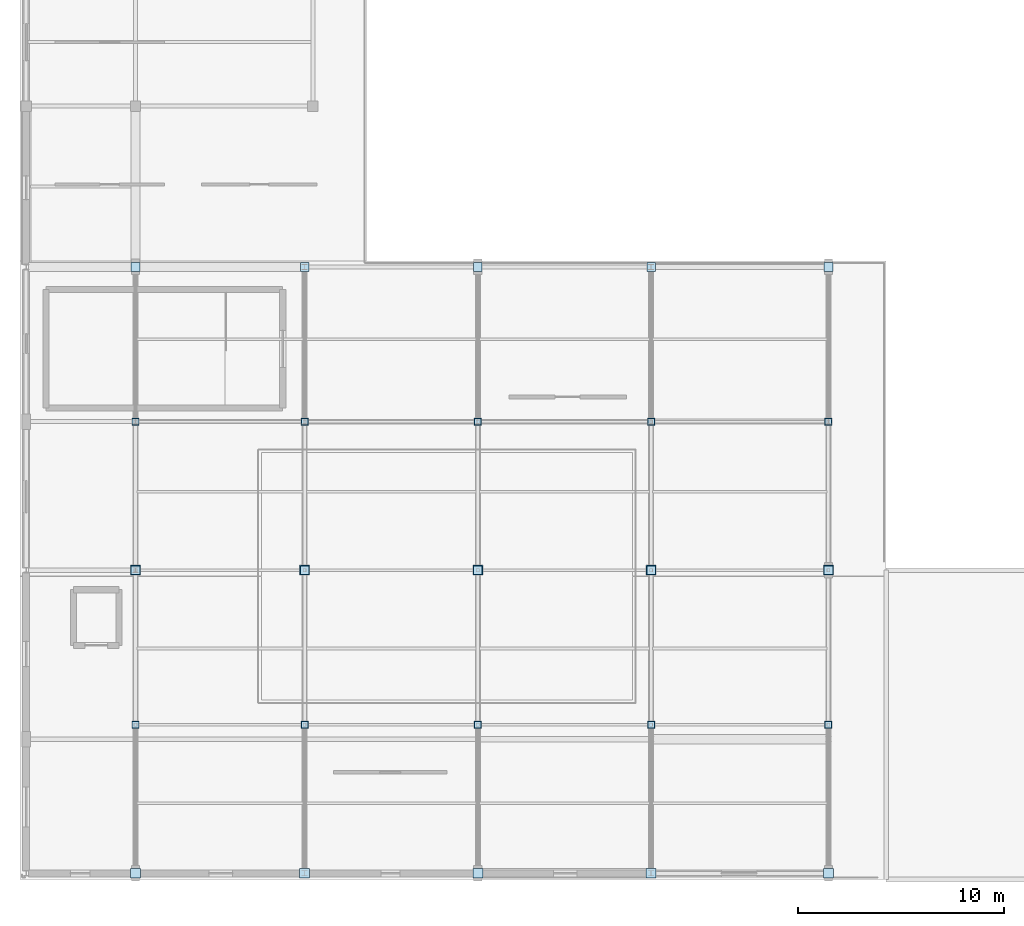
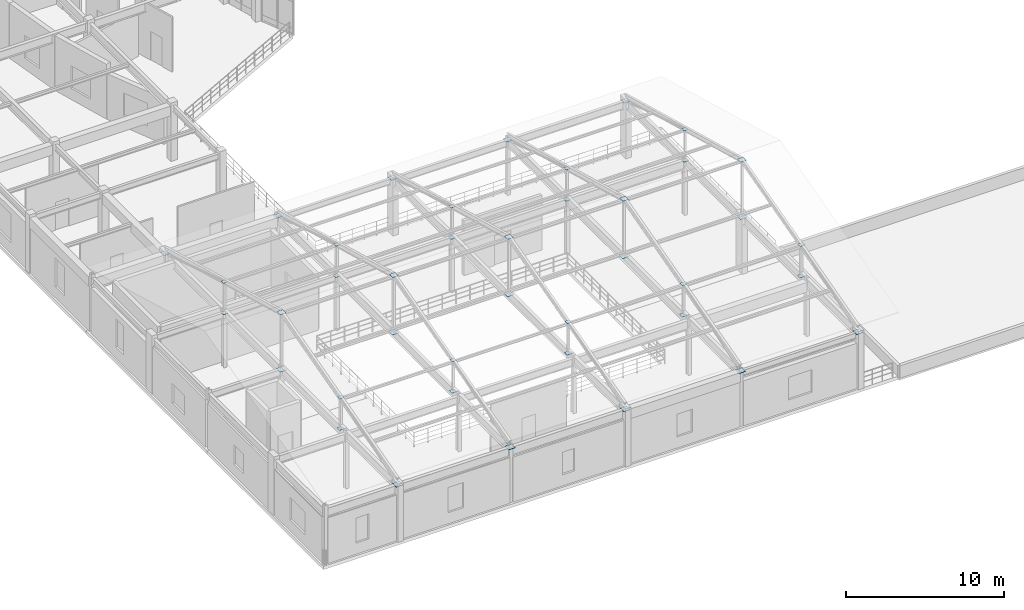
# One storey, part 80 of 112: 40 plates.
"""IFC4 building model written with IfcOpenShell, lengths in metres."""

from ifc_helpers import new_model, si_unit, direction, frame, origin, origin_2d, place, context, subcontext, project, spatial, rectangle, extrude, material, layer, layer_set, type_object, element, save


model = new_model("IFC4")

# Units and contexts
model_context = context("Model", 3, precision=1e-05, world=origin(), true_north=direction((0.0, 1.0)))
body_context = subcontext(model_context, "Body", "Model", "MODEL_VIEW")
ifc_project = project(units=[si_unit("LENGTHUNIT", "METRE"), si_unit("AREAUNIT", "SQUARE_METRE"), si_unit("VOLUMEUNIT", "CUBIC_METRE"), si_unit("PLANEANGLEUNIT", "RADIAN"), si_unit("MASSUNIT", "GRAM", prefix="KILO")], contexts=[model_context])

# Site, building, storey
site_placement = place(None, origin())
site = spatial("IfcSite", under=ifc_project, at=site_placement, CompositionType="ELEMENT")
building_placement = place(site_placement, origin())
building = spatial("IfcBuilding", under=site, at=building_placement, Name="Cinderbank Siding Concert Hall", CompositionType="ELEMENT")
storey_placement = place(building_placement, frame((0.0, 0.0, 10.199951171875)))
storey = spatial("IfcBuildingStorey", under=building, at=storey_placement, Name="L03", CompositionType="ELEMENT", Elevation=10.199951171875)

# Plates
ifc_material = material(Name="Structural steel welded plate section AS/NZS 3679.2 / AS/NZS 3678 Grade 350 (340 MPa)", Category="steel")
ifc_layer_1 = layer(ifc_material, 0.02490234375)
ifc_layer_set_1 = layer_set([ifc_layer_1], Name="Structural steel welded plate section AS/NZS 3679.2 / AS/NZS 3678 Grade 350 (340 MPa)")
plate_type_1 = type_object("IfcPlateType", Name="GP-01 Steel Gusset Cap Plate 480x480x25", PredefinedType="SHEET", material=ifc_layer_set_1)
for number, where, z_axis, x_axis, name in (
    (1, (12.39990234375, 20.800048828125, 4.1376953125), (0.0, 0.0, 1.0), (1.0, 0.0, 0.0), "L03 Steel Node Gusset Plate GP-01 #1272"),
    (2, (12.39990234375, 6.10009765625, 4.1875), (0.0, 0.0, 1.0), (0.0, 1.0, 0.0), "L03 Steel Node Gusset Plate GP-01 #1276"),
    (3, (20.60009765625, 20.800048828125, 4.1376953125), (0.0, 0.0, 1.0), (1.0, 0.0, 0.0), "L03 Steel Node Gusset Plate GP-01 #1280"),
    (4, (20.60009765625, 6.10009765625, 4.1875), (0.0, 0.0, 1.0), (0.0, 1.0, 0.0), "L03 Steel Node Gusset Plate GP-01 #1284"),
    (5, (29.0, 20.800048828125, 4.1376953125), (0.0, 0.0, 1.0), (1.0, 0.0, 0.0), "L03 Steel Node Gusset Plate GP-01 #1288"),
    (6, (29.0, 6.10009765625, 4.1875), (0.0, 0.0, 1.0), (0.0, 1.0, 0.0), "L03 Steel Node Gusset Plate GP-01 #1292"),
    (7, (37.39990234375, 20.800048828125, 4.1376953125), (0.0, 0.0, 1.0), (1.0, 0.0, 0.0), "L03 Steel Node Gusset Plate GP-01 #1296"),
    (8, (37.39990234375, 6.10009765625, 4.1875), (0.0, 0.0, 1.0), (0.0, 1.0, 0.0), "L03 Steel Node Gusset Plate GP-01 #1300"),
    (9, (46.0, 20.800048828125, 4.1376953125), (0.0, 0.0, 1.0), (1.0, 0.0, 0.0), "L03 Steel Node Gusset Plate GP-01 #1304"),
    (10, (46.0, 6.10009765625, 4.1875), (0.0, 0.0, 1.0), (0.0, 1.0, 0.0), "L03 Steel Node Gusset Plate GP-01 #1308"),
):
    element("IfcPlate", number, at=place(storey_placement, frame(where, z_axis=z_axis, x_axis=x_axis)), inside=storey, type_object=plate_type_1, Name=name, PredefinedType="SHEET", context=body_context, shape_type="SweptSolid", body=[
        extrude(rectangle(XDim=0.47998046875, YDim=0.47998046875, at=origin_2d()), origin(), (0.0, 0.0, 1.0), 0.02490234375),
    ])
ifc_layer_2 = layer(ifc_material, 0.02197265625)
ifc_layer_set_2 = layer_set([ifc_layer_2], Name="Structural steel welded plate section AS/NZS 3679.2 / AS/NZS 3678 Grade 350 (340 MPa)")
plate_type_2 = type_object("IfcPlateType", Name="GP-02 Steel Gusset Cap Plate 420x420x22", PredefinedType="SHEET", material=ifc_layer_set_2)
for number, where, z_axis, x_axis, name in (
    (11, (12.39990234375, 20.800048828125, 8.5390625), (0.0, 0.0, 1.0), (1.0, 0.0, 0.0), "L03 Steel Node Gusset Plate GP-02 #1273"),
    (12, (12.39990234375, 35.5, 4.18896484375), (0.0, 0.0, 1.0), (0.0, -1.0, 0.0), "L03 Steel Node Gusset Plate GP-02 #1277"),
    (13, (20.60009765625, 20.800048828125, 8.5390625), (0.0, 0.0, 1.0), (1.0, 0.0, 0.0), "L03 Steel Node Gusset Plate GP-02 #1281"),
    (14, (20.60009765625, 35.5, 4.18896484375), (0.0, 0.0, 1.0), (0.0, -1.0, 0.0), "L03 Steel Node Gusset Plate GP-02 #1285"),
    (15, (29.0, 20.800048828125, 8.5390625), (0.0, 0.0, 1.0), (1.0, 0.0, 0.0), "L03 Steel Node Gusset Plate GP-02 #1289"),
    (16, (29.0, 35.5, 4.18896484375), (0.0, 0.0, 1.0), (0.0, -1.0, 0.0), "L03 Steel Node Gusset Plate GP-02 #1293"),
    (17, (37.39990234375, 20.800048828125, 8.5390625), (0.0, 0.0, 1.0), (1.0, 0.0, 0.0), "L03 Steel Node Gusset Plate GP-02 #1297"),
    (18, (37.39990234375, 35.5, 4.18896484375), (0.0, 0.0, 1.0), (0.0, -1.0, 0.0), "L03 Steel Node Gusset Plate GP-02 #1301"),
    (19, (46.0, 20.800048828125, 8.5390625), (0.0, 0.0, 1.0), (1.0, 0.0, 0.0), "L03 Steel Node Gusset Plate GP-02 #1305"),
    (20, (46.0, 35.5, 4.18896484375), (0.0, 0.0, 1.0), (0.0, -1.0, 0.0), "L03 Steel Node Gusset Plate GP-02 #1309"),
):
    element("IfcPlate", number, at=place(storey_placement, frame(where, z_axis=z_axis, x_axis=x_axis)), inside=storey, type_object=plate_type_2, Name=name, PredefinedType="SHEET", context=body_context, shape_type="SweptSolid", body=[
        extrude(rectangle(XDim=0.419921875, YDim=0.419921875, at=origin_2d()), origin(), (0.0, 0.0, 1.0), 0.02197265625),
    ])
ifc_layer_3 = layer(ifc_material, 0.02001953125)
ifc_layer_set_3 = layer_set([ifc_layer_3], Name="Structural steel welded plate section AS/NZS 3679.2 / AS/NZS 3678 Grade 350 (340 MPa)")
plate_type_3 = type_object("IfcPlateType", Name="GP-03 Steel Gusset Cap Plate 360x360x20", PredefinedType="SHEET", material=ifc_layer_set_3)
for number, where, z_axis, x_axis, name in (
    (21, (12.39990234375, 13.300048828125, 4.14013671875), (0.0, 0.0, 1.0), (1.0, 0.0, 0.0), "L03 Steel Node Gusset Plate GP-03 #1270"),
    (22, (12.39990234375, 28.0, 4.14013671875), (0.0, 0.0, 1.0), (1.0, 0.0, 0.0), "L03 Steel Node Gusset Plate GP-03 #1274"),
    (23, (20.60009765625, 13.300048828125, 4.14013671875), (0.0, 0.0, 1.0), (1.0, 0.0, 0.0), "L03 Steel Node Gusset Plate GP-03 #1278"),
    (24, (20.60009765625, 28.0, 4.14013671875), (0.0, 0.0, 1.0), (1.0, 0.0, 0.0), "L03 Steel Node Gusset Plate GP-03 #1282"),
    (25, (29.0, 13.300048828125, 4.14013671875), (0.0, 0.0, 1.0), (1.0, 0.0, 0.0), "L03 Steel Node Gusset Plate GP-03 #1286"),
    (26, (29.0, 28.0, 4.14013671875), (0.0, 0.0, 1.0), (1.0, 0.0, 0.0), "L03 Steel Node Gusset Plate GP-03 #1290"),
    (27, (37.39990234375, 13.300048828125, 4.14013671875), (0.0, 0.0, 1.0), (1.0, 0.0, 0.0), "L03 Steel Node Gusset Plate GP-03 #1294"),
    (28, (37.39990234375, 28.0, 4.14013671875), (0.0, 0.0, 1.0), (1.0, 0.0, 0.0), "L03 Steel Node Gusset Plate GP-03 #1298"),
    (29, (46.0, 13.300048828125, 4.14013671875), (0.0, 0.0, 1.0), (1.0, 0.0, 0.0), "L03 Steel Node Gusset Plate GP-03 #1302"),
    (30, (46.0, 28.0, 4.14013671875), (0.0, 0.0, 1.0), (1.0, 0.0, 0.0), "L03 Steel Node Gusset Plate GP-03 #1306"),
):
    element("IfcPlate", number, at=place(storey_placement, frame(where, z_axis=z_axis, x_axis=x_axis)), inside=storey, type_object=plate_type_3, Name=name, PredefinedType="SHEET", context=body_context, shape_type="SweptSolid", body=[
        extrude(rectangle(XDim=0.360107421875, YDim=0.360107421875, at=origin_2d()), origin(), (0.0, 0.0, 1.0), 0.02001953125),
    ])
ifc_layer_4 = layer(ifc_material, 0.02099609375)
ifc_layer_set_4 = layer_set([ifc_layer_4], Name="Structural steel welded plate section AS/NZS 3679.2 / AS/NZS 3678 Grade 350 (340 MPa)")
plate_type_4 = type_object("IfcPlateType", Name="GP-04 Steel Gusset Cap Plate 320x320x21", PredefinedType="SHEET", material=ifc_layer_set_4)
for number, where, z_axis, x_axis, name in (
    (31, (12.39990234375, 13.300048828125, 6.53955078125), (0.0, 0.0, 1.0), (1.0, 0.0, 0.0), "L03 Steel Node Gusset Plate GP-04 #1271"),
    (32, (12.39990234375, 28.0, 6.53955078125), (0.0, 0.0, 1.0), (1.0, 0.0, 0.0), "L03 Steel Node Gusset Plate GP-04 #1275"),
    (33, (20.60009765625, 13.300048828125, 6.53955078125), (0.0, 0.0, 1.0), (1.0, 0.0, 0.0), "L03 Steel Node Gusset Plate GP-04 #1279"),
    (34, (20.60009765625, 28.0, 6.53955078125), (0.0, 0.0, 1.0), (1.0, 0.0, 0.0), "L03 Steel Node Gusset Plate GP-04 #1283"),
    (35, (29.0, 13.300048828125, 6.53955078125), (0.0, 0.0, 1.0), (1.0, 0.0, 0.0), "L03 Steel Node Gusset Plate GP-04 #1287"),
    (36, (29.0, 28.0, 6.53955078125), (0.0, 0.0, 1.0), (1.0, 0.0, 0.0), "L03 Steel Node Gusset Plate GP-04 #1291"),
    (37, (37.39990234375, 13.300048828125, 6.53955078125), (0.0, 0.0, 1.0), (1.0, 0.0, 0.0), "L03 Steel Node Gusset Plate GP-04 #1295"),
    (38, (37.39990234375, 28.0, 6.53955078125), (0.0, 0.0, 1.0), (1.0, 0.0, 0.0), "L03 Steel Node Gusset Plate GP-04 #1299"),
    (39, (46.0, 13.300048828125, 6.53955078125), (0.0, 0.0, 1.0), (1.0, 0.0, 0.0), "L03 Steel Node Gusset Plate GP-04 #1303"),
    (40, (46.0, 28.0, 6.53955078125), (0.0, 0.0, 1.0), (1.0, 0.0, 0.0), "L03 Steel Node Gusset Plate GP-04 #1307"),
):
    element("IfcPlate", number, at=place(storey_placement, frame(where, z_axis=z_axis, x_axis=x_axis)), inside=storey, type_object=plate_type_4, Name=name, PredefinedType="SHEET", context=body_context, shape_type="SweptSolid", body=[
        extrude(rectangle(XDim=0.320068359375, YDim=0.320068359375, at=origin_2d()), origin(), (0.0, 0.0, 1.0), 0.02099609375),
    ])

save(model, "model.ifc")
